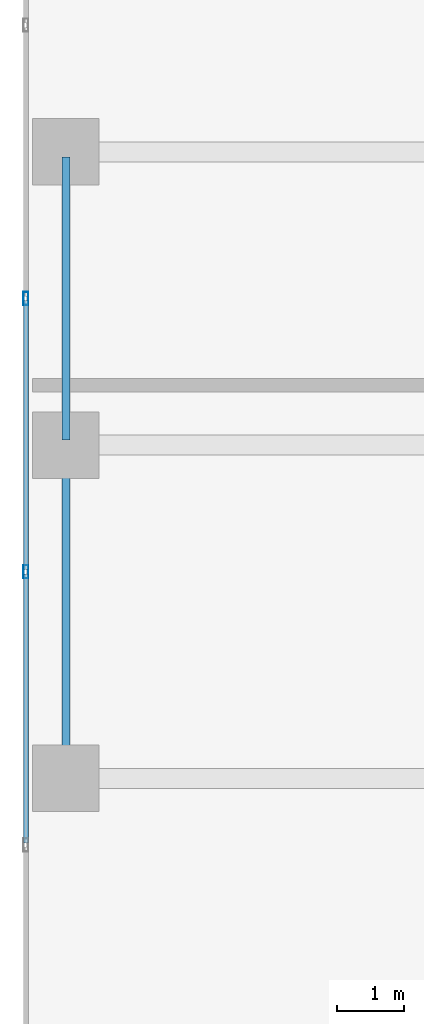
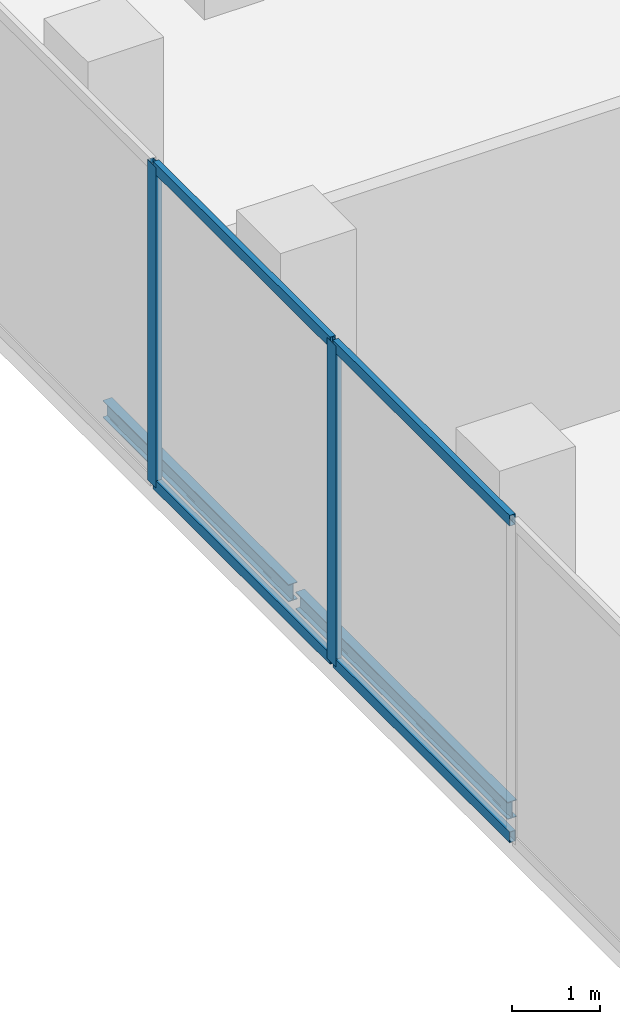
# One storey, part 3 of 24: 8 members, 1 element without a shape of its own.
"""IFC4 building model written with IfcOpenShell, lengths in metres."""

from ifc_helpers import new_model, si_unit, direction, frame, origin, origin_2d, place, context, subcontext, project, spatial, hollow_rectangle, i_section, extrude, material, layer, layer_set, material_profile, profile_set, type_object, element, aggregate, save


model = new_model("IFC4")

# Units and contexts
model_context = context("Model", 3, precision=1e-05, world=origin(), true_north=direction((0.0, 1.0)))
body_context = subcontext(model_context, "Body", "Model", "MODEL_VIEW")
ifc_project = project(units=[si_unit("LENGTHUNIT", "METRE"), si_unit("AREAUNIT", "SQUARE_METRE"), si_unit("VOLUMEUNIT", "CUBIC_METRE"), si_unit("PLANEANGLEUNIT", "RADIAN"), si_unit("MASSUNIT", "GRAM", prefix="KILO")], contexts=[model_context])

# Site, building, storey
site_placement = place(None, origin())
site = spatial("IfcSite", under=ifc_project, at=site_placement, CompositionType="ELEMENT")
building_placement = place(site_placement, origin())
building = spatial("IfcBuilding", under=site, at=building_placement, Name="Catumbela Crestline Tower", CompositionType="ELEMENT")
storey_placement = place(building_placement, frame((0.0, 0.0, 11.1)))
storey = spatial("IfcBuildingStorey", under=building, at=storey_placement, Name="L02", CompositionType="ELEMENT", Elevation=11.1)

# Members
ifc_material_1 = material(Name="Structural steel S355J2", Category="steel")
ifc_material_profile_1 = material_profile(ifc_material_1, i_section(OverallWidth=0.12, OverallDepth=0.24, WebThickness=0.0062, FlangeThickness=0.0098, FilletRadius=0.015, at=origin_2d()), Name="IPE 240")
ifc_profile_set_1 = profile_set([ifc_material_profile_1], Name="Structural steel S355J2")
member_type_1 = type_object("IfcMemberType", Name="MP-240", PredefinedType="PURLIN", material=ifc_profile_set_1)
member_1_placement = place(storey_placement, frame((0.6, 8.68, -0.44), z_axis=(0.0, 1.0, 0.0), x_axis=(-1.0, 0.0, 0.0)))
element("IfcMember", 1, at=member_1_placement, inside=storey, type_object=member_type_1, Name="L02 Ballroom West Perimeter Sub-Framing Purlin 1", PredefinedType="PURLIN", context=body_context, shape_type="SweptSolid", body=[
    extrude(i_section(OverallWidth=0.12, OverallDepth=0.24, WebThickness=0.0062, FlangeThickness=0.0098, FilletRadius=0.015, at=origin_2d()), origin(), (0.0, 0.0, 1.0), 4.84),
])
member_2_placement = place(storey_placement, frame((0.6, 13.68, -0.44), z_axis=(0.0, 1.0, 0.0), x_axis=(-1.0, 0.0, 0.0)))
element("IfcMember", 2, at=member_2_placement, inside=storey, type_object=member_type_1, Name="L02 Ballroom West Perimeter Sub-Framing Purlin 2", PredefinedType="PURLIN", context=body_context, shape_type="SweptSolid", body=[
    extrude(i_section(OverallWidth=0.12, OverallDepth=0.24, WebThickness=0.0062, FlangeThickness=0.0098, FilletRadius=0.015, at=origin_2d()), origin(), (0.0, 0.0, 1.0), 4.24),
])

# Curtain wall, members
ifc_material_2 = material(Name="Aluminium alloy AW-6060-T66", Category="aluminium")
ifc_layer = layer(ifc_material_2, 0.18, Name="Aluminium alloy AW-6060-T66")
ifc_layer_set = layer_set([ifc_layer], Name="Aluminium alloy AW-6060-T66")
curtain_wall_type = type_object("IfcCurtainWallType", Name="CWS-POD", PredefinedType="USERDEFINED", material=ifc_layer_set)
curtain_wall_placement = place(storey_placement, origin())
curtain_wall = element("IfcCurtainWall", 3, at=curtain_wall_placement, inside=storey, type_object=curtain_wall_type, Name="L02 Stick Curtain Wall CW-L02-E9S1", ObjectType="STICK", PredefinedType="USERDEFINED")
ifc_material_profile_2 = material_profile(ifc_material_2, hollow_rectangle(XDim=0.075, YDim=0.2, WallThickness=0.005, at=origin_2d()), Name="ALU 200x75x5")
ifc_profile_set_2 = profile_set([ifc_material_profile_2], Name="Aluminium alloy AW-6060-T66")
member_type_2 = type_object("IfcMemberType", Name="MUL-200X75", PredefinedType="MULLION", material=ifc_profile_set_2)
member_3_placement = place(storey_placement, frame((0.0, 15.8, 0.0), z_axis=(0.0, 0.0, 1.0), x_axis=(1.0, 0.0, 0.0)))
member_3 = element("IfcMember", 4, at=member_3_placement, type_object=member_type_2, Name="CWS-POD mullion 8", PredefinedType="MULLION", context=body_context, shape_type="SweptSolid", body=[
    extrude(hollow_rectangle(XDim=0.075, YDim=0.2, WallThickness=0.005, at=origin_2d()), origin(), (0.0, 0.0, 1.0), 4.47),
])
member_4_placement = place(storey_placement, frame((0.0, 11.7, 0.0), z_axis=(0.0, 0.0, 1.0), x_axis=(1.0, 0.0, 0.0)))
member_4 = element("IfcMember", 5, at=member_4_placement, type_object=member_type_2, Name="CWS-POD mullion 9", PredefinedType="MULLION", context=body_context, shape_type="SweptSolid", body=[
    extrude(hollow_rectangle(XDim=0.075, YDim=0.2, WallThickness=0.005, at=origin_2d()), origin(), (0.0, 0.0, 1.0), 4.47),
])
ifc_material_profile_3 = material_profile(ifc_material_2, hollow_rectangle(XDim=0.075, YDim=0.15, WallThickness=0.0045, at=origin_2d()), Name="ALU 150x75x4.5")
ifc_profile_set_3 = profile_set([ifc_material_profile_3], Name="Aluminium alloy AW-6060-T66")
member_type_3 = type_object("IfcMemberType", Name="TRN-150X75", PredefinedType="USERDEFINED", material=ifc_profile_set_3)
member_5_placement = place(storey_placement, frame((0.0, 15.7675, 0.03), z_axis=(0.0, -1.0, 0.0), x_axis=(1.0, 0.0, 0.0)))
member_5 = element("IfcMember", 6, at=member_5_placement, type_object=member_type_3, Name="CWS-POD transom 8.1", ObjectType="TRANSOM", PredefinedType="USERDEFINED", context=body_context, shape_type="SweptSolid", body=[
    extrude(hollow_rectangle(XDim=0.075, YDim=0.15, WallThickness=0.0045, at=origin_2d()), origin(), (0.0, 0.0, 1.0), 4.035),
])
member_6_placement = place(storey_placement, frame((0.0, 15.7675, 4.44), z_axis=(0.0, -1.0, 0.0), x_axis=(1.0, 0.0, 0.0)))
member_6 = element("IfcMember", 7, at=member_6_placement, type_object=member_type_3, Name="CWS-POD transom 8.2", ObjectType="TRANSOM", PredefinedType="USERDEFINED", context=body_context, shape_type="SweptSolid", body=[
    extrude(hollow_rectangle(XDim=0.075, YDim=0.15, WallThickness=0.0045, at=origin_2d()), origin(), (0.0, 0.0, 1.0), 4.035),
])
member_7_placement = place(storey_placement, frame((0.0, 11.6675, 0.03), z_axis=(0.0, -1.0, 0.0), x_axis=(1.0, 0.0, 0.0)))
member_7 = element("IfcMember", 8, at=member_7_placement, type_object=member_type_3, Name="CWS-POD transom 9.1", ObjectType="TRANSOM", PredefinedType="USERDEFINED", context=body_context, shape_type="SweptSolid", body=[
    extrude(hollow_rectangle(XDim=0.075, YDim=0.15, WallThickness=0.0045, at=origin_2d()), origin(), (0.0, 0.0, 1.0), 4.035),
])
member_8_placement = place(storey_placement, frame((0.0, 11.6675, 4.44), z_axis=(0.0, -1.0, 0.0), x_axis=(1.0, 0.0, 0.0)))
member_8 = element("IfcMember", 9, at=member_8_placement, type_object=member_type_3, Name="CWS-POD transom 9.2", ObjectType="TRANSOM", PredefinedType="USERDEFINED", context=body_context, shape_type="SweptSolid", body=[
    extrude(hollow_rectangle(XDim=0.075, YDim=0.15, WallThickness=0.0045, at=origin_2d()), origin(), (0.0, 0.0, 1.0), 4.035),
])
aggregate(curtain_wall, [member_3, member_4, member_5, member_6, member_7, member_8])

save(model, "model.ifc")
